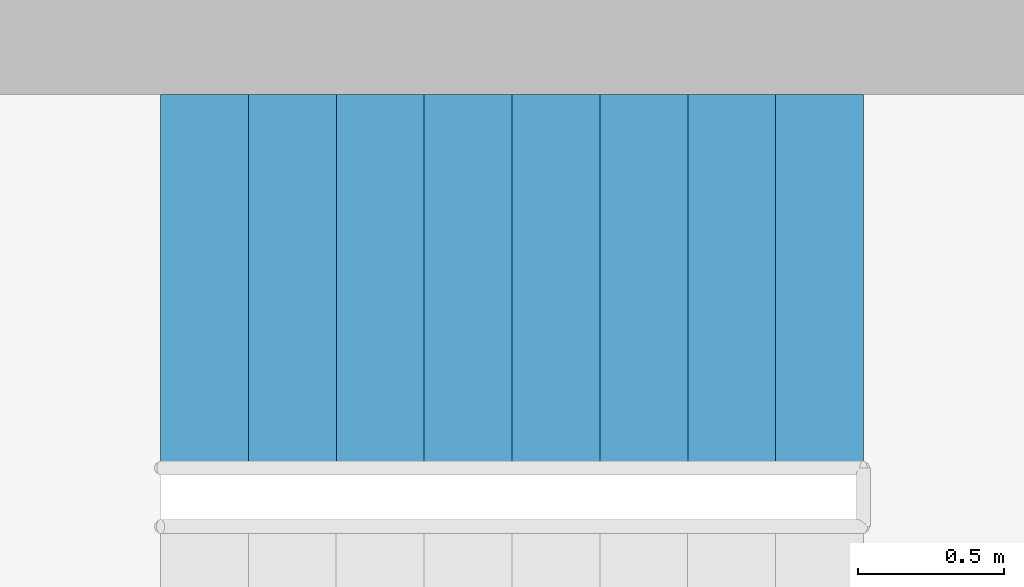
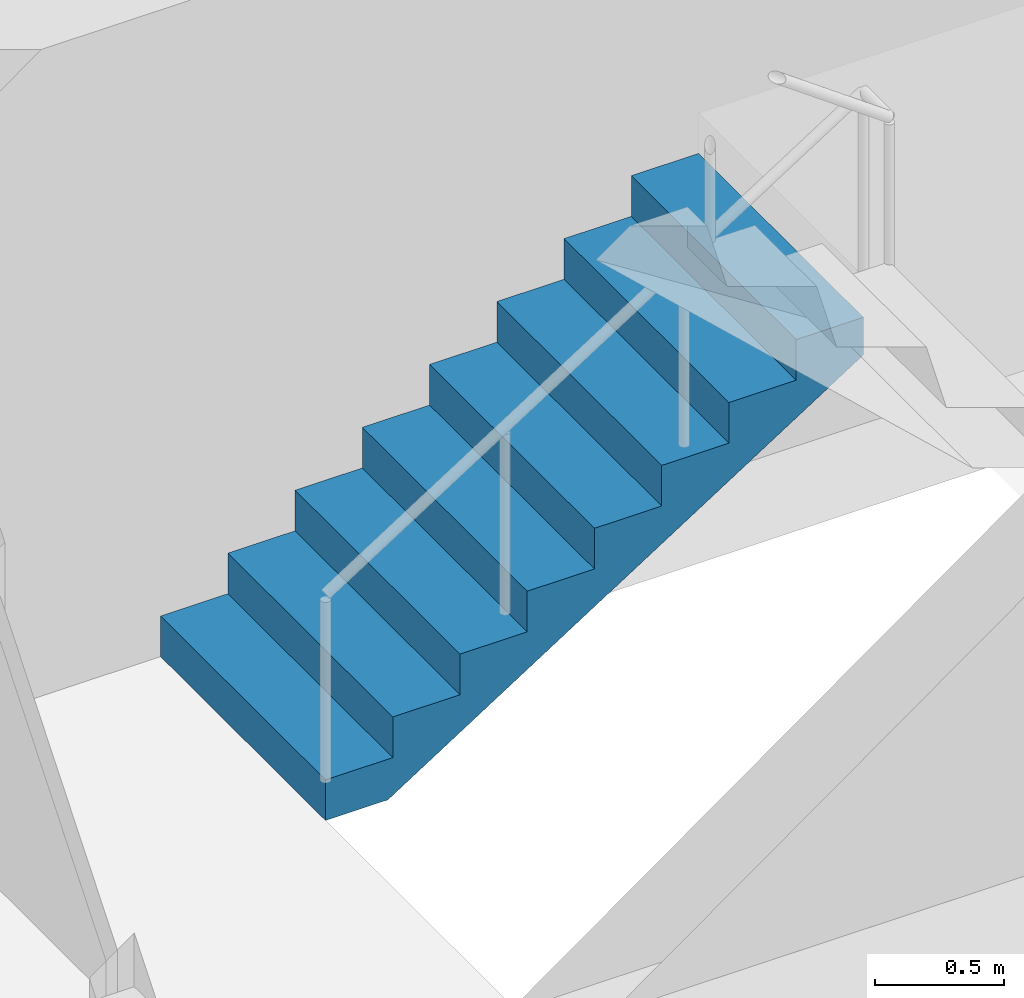
# One storey, part 10 of 12: 1 stair flight, 1 element without a shape of its own.
"""IFC4 building model written with IfcOpenShell, lengths in metres."""

import ifcopenshell
import ifcopenshell.guid

model = None  # the IFC model being written
_history = None  # IfcOwnerHistory: only IFC2X3 demands one
_inside = {}  # id of a spatial element -> (the spatial element, [elements in it])
_under = {}  # id of a project, library or spatial element -> (it, [spatial elements below it])
_declared = {}  # id of a project -> (the project, [libraries it declares])
_typed = {}  # id of a type object -> (the type object, [elements of that type])
_made_of = {}  # id of a material, layer set ... -> (it, [elements and type objects made of it])


def new_model(schema):
    """Start an empty IFC model of exactly this schema.

    Asked for "IFC4X3", IfcOpenShell would pick the latest addendum, in which some entities
    have other attributes; the version numbers below select the first issue.
    IFC2X3 requires an IfcOwnerHistory on every rooted entity: one is made here for all.
    """
    global model, _history
    if schema == "IFC4X3":
        model = ifcopenshell.file(schema_version=(4, 3, 0, 0))
    else:
        model = ifcopenshell.file(schema=schema)
    _inside.clear()
    _under.clear()
    _declared.clear()
    _typed.clear()
    _made_of.clear()
    _history = None
    if model.schema == "IFC2X3":
        org = make("IfcOrganization", Name="unknown")
        user = make(
            "IfcPersonAndOrganization",
            ThePerson=make("IfcPerson", FamilyName="unknown"),
            TheOrganization=org,
        )
        app = make(
            "IfcApplication",
            ApplicationDeveloper=org,
            Version="unknown",
            ApplicationFullName="unknown",
            ApplicationIdentifier="unknown",
        )
        _history = make(
            "IfcOwnerHistory",
            OwningUser=user,
            OwningApplication=app,
            ChangeAction="ADDED",
            CreationDate=0,
        )
    return model


def make(cls, **values):
    """One entity of the class cls with the attributes given. An attribute that is None is left unset."""
    return model.create_entity(
        cls, **{name: value for name, value in values.items() if value is not None}
    )


def rooted(cls, **values):
    """An entity with a GlobalId (a new one), such as an element, a storey or a relation."""
    return make(cls, GlobalId=ifcopenshell.guid.new(), OwnerHistory=_history, **values)


def si_unit(unit_type, name, prefix=None):
    """IfcSIUnit, for example si_unit("LENGTHUNIT", "METRE", prefix="MILLI")."""
    return make("IfcSIUnit", UnitType=unit_type, Prefix=prefix, Name=name)


def assignment(units):
    """IfcUnitAssignment: the units of a project."""
    return None if units is None else make("IfcUnitAssignment", Units=units)


def point(xyz):
    """IfcCartesianPoint."""
    return None if xyz is None else make("IfcCartesianPoint", Coordinates=xyz)


def direction(xyz):
    """IfcDirection."""
    return None if xyz is None else make("IfcDirection", DirectionRatios=xyz)


def frame(location, z_axis=None, x_axis=None):
    """IfcAxis2Placement3D, a coordinate frame: its origin and axes. An axis left out is left unset."""
    return make(
        "IfcAxis2Placement3D",
        Location=point(location),
        Axis=direction(z_axis),
        RefDirection=direction(x_axis),
    )


def origin():
    """The frame at (0, 0, 0) with its axes left unset."""
    return frame((0.0, 0.0, 0.0))


def place(relative_to, where):
    """IfcLocalPlacement: puts the frame where relative to a parent placement (None: the world)."""
    return make(
        "IfcLocalPlacement", PlacementRelTo=relative_to, RelativePlacement=where
    )


def context(
    kind, dimensions, precision=None, world=None, true_north=None, identifier=None
):
    """IfcGeometricRepresentationContext, for example the 3D "Model" context."""
    return make(
        "IfcGeometricRepresentationContext",
        ContextIdentifier=identifier,
        ContextType=kind,
        CoordinateSpaceDimension=dimensions,
        Precision=precision,
        WorldCoordinateSystem=world,
        TrueNorth=true_north,
    )


def subcontext(parent, identifier, kind, view, scale=None):
    """IfcGeometricRepresentationSubContext, for example "Body" below "Model"."""
    return make(
        "IfcGeometricRepresentationSubContext",
        ContextIdentifier=identifier,
        ContextType=kind,
        ParentContext=parent,
        TargetScale=scale,
        TargetView=view,
    )


def project(units=None, contexts=None):
    """IfcProject with its units and contexts."""
    return rooted(
        "IfcProject",
        Name="project",
        RepresentationContexts=contexts,
        UnitsInContext=assignment(units),
    )


def spatial(cls, under=None, at=None, **own):
    """A site, building, storey or space (cls), placed at a placement, below another one or the project."""
    s = rooted(cls, ObjectPlacement=at, **own)
    if under is not None:
        _under.setdefault(under.id(), (under, []))[1].append(s)
    return s


def polyline(points):
    """IfcPolyline through the points."""
    return make("IfcPolyline", Points=[point(p) for p in points])


def outline(outer, holes=None, kind="AREA"):
    """IfcArbitraryClosedProfileDef: a profile drawn as a closed curve; with holes, ...WithVoids."""
    if holes is None:
        return make("IfcArbitraryClosedProfileDef", ProfileType=kind, OuterCurve=outer)
    return make(
        "IfcArbitraryProfileDefWithVoids",
        ProfileType=kind,
        OuterCurve=outer,
        InnerCurves=holes,
    )


def extrude(swept, where, along, depth):
    """IfcExtrudedAreaSolid: the profile swept, set in the frame where, extruded along a direction by depth."""
    return make(
        "IfcExtrudedAreaSolid",
        SweptArea=swept,
        Position=where,
        ExtrudedDirection=direction(along),
        Depth=depth,
    )


def shape(context_of_items, identifier, shape_type, items):
    """IfcShapeRepresentation: the items that make up one representation, for example the "Body"."""
    return make(
        "IfcShapeRepresentation",
        ContextOfItems=context_of_items,
        RepresentationIdentifier=identifier,
        RepresentationType=shape_type,
        Items=items,
    )


def material(Name=None, Category=None):
    """IfcMaterial."""
    return make("IfcMaterial", Name=Name, Category=Category)


def made_of(thing, what):
    """Note that an element or type object is made of a material, layer set ...; save() writes the relation."""
    if what is not None:
        _made_of.setdefault(what.id(), (what, []))[1].append(thing)
    return thing


def type_object(cls, material=None, **own):
    """A type object (cls), such as IfcWallType, which elements share."""
    return made_of(rooted(cls, **own), material)


def element(
    cls,
    number,
    at=None,
    inside=None,
    cuts=None,
    type_object=None,
    material=None,
    context=None,
    identifier="Body",
    shape_type=None,
    held_by="IfcProductDefinitionShape",
    body=None,
    shapes=None,
    **own,
):
    """One element of the class cls, such as IfcWall. Its Tag is "e" and its number.

    at: its placement. inside: the storey or other place that contains it. cuts: it is an
    opening in that element (IfcRelVoidsElement). A single representation is given by context,
    identifier, shape_type and body (its items); several are given by shapes. held_by: the class
    of the entity that holds the representations. save() writes the other relations.
    """
    e = rooted(cls, Tag="e%d" % number, ObjectPlacement=at, **own)
    if body is not None:
        shapes = [shape(context, identifier, shape_type, body)]
    if shapes is not None:
        e.Representation = make(held_by, Representations=shapes)
    if inside is not None:
        _inside.setdefault(inside.id(), (inside, []))[1].append(e)
    if cuts is not None:
        rooted(
            "IfcRelVoidsElement", RelatingBuildingElement=cuts, RelatedOpeningElement=e
        )
    if type_object is not None:
        _typed.setdefault(type_object.id(), (type_object, []))[1].append(e)
    return made_of(e, material)


def aggregate(whole, parts):
    """IfcRelAggregates: a whole, such as a stair, and the parts it consists of."""
    return rooted("IfcRelAggregates", RelatingObject=whole, RelatedObjects=parts)


def save(model, path):
    """Write the relations noted so far, then the file.

    IfcRelAggregates (storeys below a building ...), IfcRelContainedInSpatialStructure (elements
    in a storey), IfcRelDefinesByType, IfcRelAssociatesMaterial and IfcRelDeclares: one each for
    every whole, place, type object, material and project.
    """
    for whole, parts in _under.values():
        aggregate(whole, parts)
    for where, things in _inside.values():
        rooted(
            "IfcRelContainedInSpatialStructure",
            RelatedElements=things,
            RelatingStructure=where,
        )
    for kind, things in _typed.values():
        rooted("IfcRelDefinesByType", RelatedObjects=things, RelatingType=kind)
    for what, things in _made_of.values():
        rooted("IfcRelAssociatesMaterial", RelatedObjects=things, RelatingMaterial=what)
    for by, libraries in _declared.values():
        rooted("IfcRelDeclares", RelatingContext=by, RelatedDefinitions=libraries)
    model.write(path)


model = new_model("IFC4")

# Units and contexts
model_context = context("Model", 3, precision=1e-05, world=origin(), true_north=direction((0.0, 1.0)))
body_context = subcontext(model_context, "Body", "Model", "MODEL_VIEW")
ifc_project = project(units=[si_unit("LENGTHUNIT", "METRE"), si_unit("AREAUNIT", "SQUARE_METRE"), si_unit("VOLUMEUNIT", "CUBIC_METRE"), si_unit("PLANEANGLEUNIT", "RADIAN"), si_unit("MASSUNIT", "GRAM", prefix="KILO")], contexts=[model_context])

# Site, building, storey
site_placement = place(None, origin())
site = spatial("IfcSite", under=ifc_project, at=site_placement, CompositionType="ELEMENT")
building_placement = place(site_placement, origin())
building = spatial("IfcBuilding", under=site, at=building_placement, Name="Kitamizu Gate Tower and Museum", CompositionType="ELEMENT")
storey_placement = place(building_placement, frame((0.0, 0.0, 134.550048828125)))
storey = spatial("IfcBuildingStorey", under=building, at=storey_placement, Name="L35", CompositionType="ELEMENT", Elevation=134.550048828125)

# Stair, stair flight
ifc_material_1 = material(Name="Concrete Fc42", Category="concrete")
stair_type = type_object("IfcStairType", Name="Exit stair 1275 wide 192 rise 300 going", PredefinedType="HALF_TURN_STAIR", material=ifc_material_1)
stair_placement = place(storey_placement, origin())
stair = element("IfcStair", 1, at=stair_placement, inside=storey, type_object=stair_type, Name="Exit stair ST4", PredefinedType="HALF_TURN_STAIR")
ifc_material_2 = material(Name="Concrete Fc42", Category="concrete")
stair_flight_type = type_object("IfcStairFlightType", Name="Stair flight 1275 wide 192 rise 300 going", PredefinedType="STRAIGHT", material=ifc_material_2)
stair_flight_placement = place(storey_placement, frame((54.25, 37.21240234375, 0.0), z_axis=(0.0, 0.0, 1.0), x_axis=(1.0, 0.0, 0.0)))
stair_flight = element("IfcStairFlight", 2, at=stair_flight_placement, type_object=stair_flight_type, Name="ST4 flight 1", NumberOfRisers=9, NumberOfTreads=8, PredefinedType="STRAIGHT", RiserHeight=0.191666667, TreadLength=0.3, context=body_context, shape_type="SweptSolid", body=[
    extrude(outline(polyline([(0.0, 0.0), (0.0, 0.191650390625), (0.300048828125, 0.191650390625), (0.300048828125, 0.38330078125), (0.60009765625, 0.38330078125), (0.60009765625, 0.574951171875), (0.89990234375, 0.574951171875), (0.89990234375, 0.7666015625), (1.199951171875, 0.7666015625), (1.199951171875, 0.958251953125), (1.5, 0.958251953125), (1.5, 1.14990234375), (1.800048828125, 1.14990234375), (1.800048828125, 1.341552734375), (2.10009765625, 1.341552734375), (2.10009765625, 1.533447265625), (2.39990234375, 1.533447265625), (2.39990234375, 1.72509765625), (2.39990234375, 1.35546875), (0.2783203125, 0.0), (0.0, 0.0)])), frame((0.0, 0.637451171875, 0.0), z_axis=(0.0, -1.0, 0.0), x_axis=(1.0, 0.0, 0.0)), (0.0, 0.0, 1.0), 1.27490234375),
])
aggregate(stair, [stair_flight])

save(model, "model.ifc")
